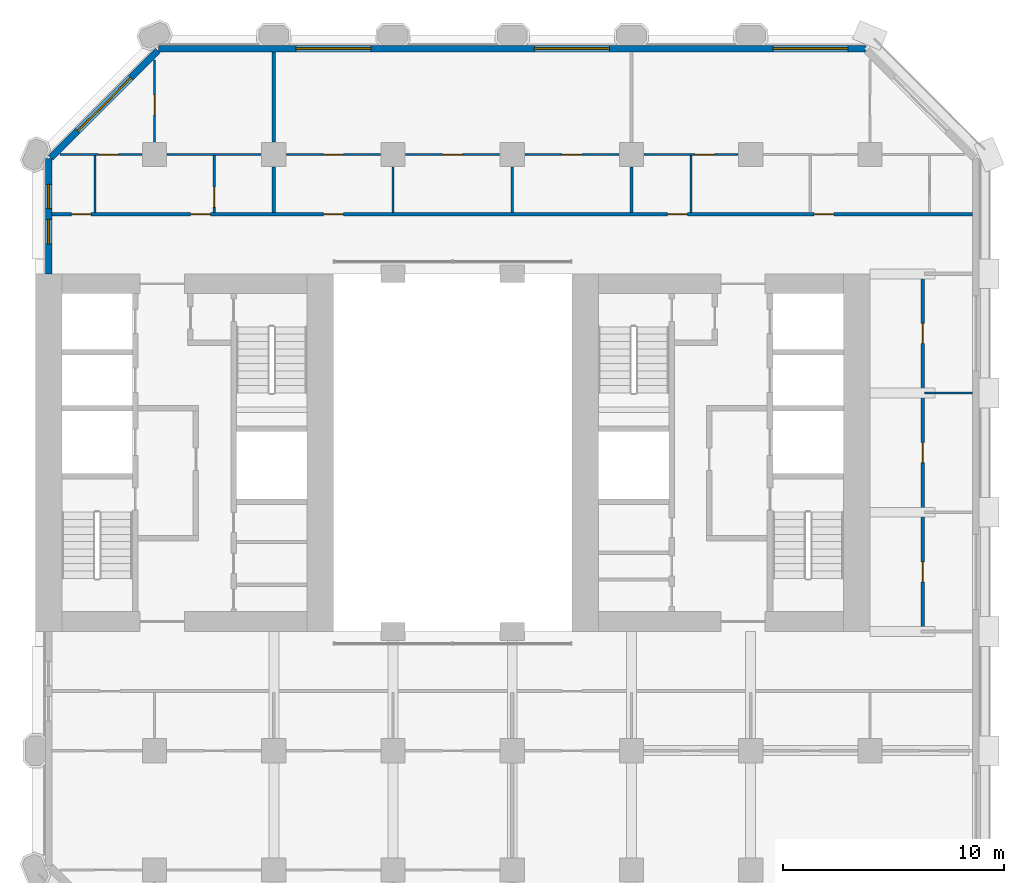
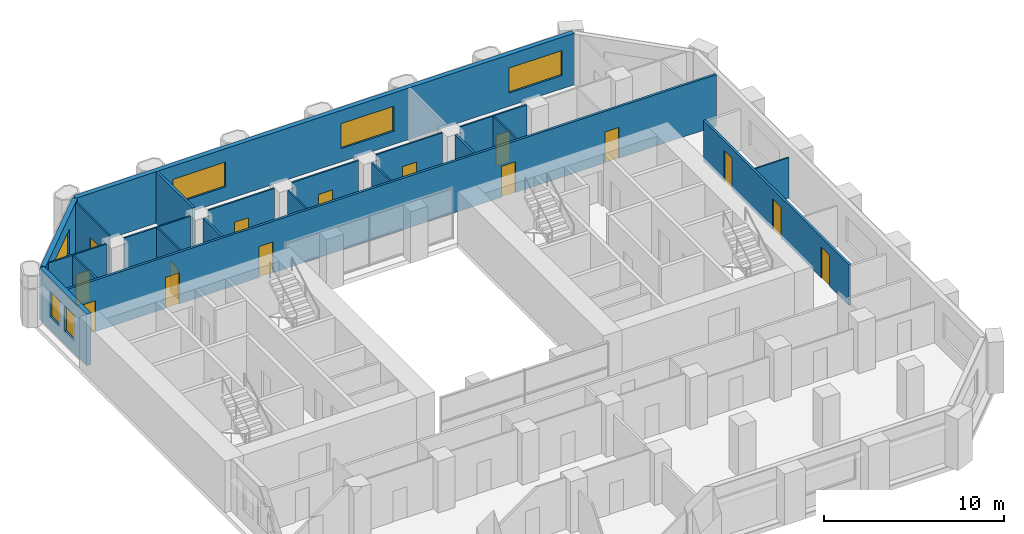
# One storey, part 10 of 13: 21 walls, 15 doors, 6 windows, 21 openings.
"""IFC4 building model written with IfcOpenShell, lengths in metres."""

from ifc_helpers import new_model, si_unit, direction, frame, frame_2d, origin, place, context, subcontext, project, spatial, rectangle, extrude, material, layer, layer_set, type_object, element, fill, save


model = new_model("IFC4")

# Units and contexts
model_context = context("Model", 3, precision=1e-05, world=origin(), true_north=direction((0.0, 1.0)))
body_context = subcontext(model_context, "Body", "Model", "MODEL_VIEW")
ifc_project = project(units=[si_unit("LENGTHUNIT", "METRE"), si_unit("AREAUNIT", "SQUARE_METRE"), si_unit("VOLUMEUNIT", "CUBIC_METRE"), si_unit("PLANEANGLEUNIT", "RADIAN"), si_unit("MASSUNIT", "GRAM", prefix="KILO")], contexts=[model_context])

# Site, building, storey
site_placement = place(None, origin())
site = spatial("IfcSite", under=ifc_project, at=site_placement, CompositionType="ELEMENT")
building_placement = place(site_placement, origin())
building = spatial("IfcBuilding", under=site, at=building_placement, Name="Tabaq Tower and Sports Hall", CompositionType="ELEMENT")
storey_placement = place(building_placement, frame((0.0, 0.0, 48.800048828125)))
storey = spatial("IfcBuildingStorey", under=building, at=storey_placement, Name="L10", CompositionType="ELEMENT", Elevation=48.800048828125)

# Wall
ifc_material_1 = material(Name="Gypsum board on steel studs", Category="steel")
ifc_layer_1 = layer(ifc_material_1, 0.10009765625)
ifc_layer_set_1 = layer_set([ifc_layer_1], Name="Partition 100 Gypsum board")
wall_type_1 = type_object("IfcWallType", Name="Partition 100 Gypsum board", PredefinedType="PARTITIONING", material=ifc_layer_set_1)
wall_1_placement = place(storey_placement, frame((8.10009765625, 35.175048828125, 0.0), z_axis=(0.0, 0.0, 1.0), x_axis=(0.0, 1.0, 0.0)))
element("IfcWall", 1, at=wall_1_placement, inside=storey, type_object=wall_type_1, Name="Partition wall L10", PredefinedType="PARTITIONING", context=body_context, shape_type="SweptSolid", body=[
    extrude(rectangle(XDim=2.574951171875, YDim=0.10009765625, at=frame_2d((1.28759765625, 0.0))), origin(), (0.0, 0.0, 1.0), 3.5),
])

# Wall, opening, door
wall_2_placement = place(storey_placement, frame((13.5, 35.175048828125, 0.0), z_axis=(0.0, 0.0, 1.0), x_axis=(0.0, 1.0, 0.0)))
wall_2 = element("IfcWall", 2, at=wall_2_placement, inside=storey, type_object=wall_type_1, Name="Partition wall L10", PredefinedType="PARTITIONING", context=body_context, shape_type="SweptSolid", body=[
    extrude(rectangle(XDim=2.574951171875, YDim=0.10009765625, at=frame_2d((1.28759765625, 0.0))), origin(), (0.0, 0.0, 1.0), 3.5),
])
opening_1_placement = place(wall_2_placement, frame((0.25, 0.0, 0.0)))
opening_1 = element("IfcOpeningElement", 3, at=opening_1_placement, cuts=wall_2, Name="Opening L10-006", PredefinedType="OPENING", context=body_context, shape_type="SweptSolid", body=[
    extrude(rectangle(XDim=0.89990234375, YDim=2.10009765625, at=frame_2d((0.449951171875, 1.050048828125))), frame((0.0, 0.050048828125, 0.0), z_axis=(0.0, -1.0, 0.0), x_axis=(1.0, 0.0, 0.0)), (0.0, 0.0, 1.0), 0.10009765625),
])
ifc_material_2 = material(Name="Timber leaf in steel frame", Category="steel")
door_type_1 = type_object("IfcDoorType", Name="Internal door 900 right hand", OperationType="SINGLE_SWING_RIGHT", PredefinedType="DOOR", material=ifc_material_2)
door_1_placement = place(opening_1_placement, origin())
door_1 = element("IfcDoor", 4, at=door_1_placement, inside=storey, type_object=door_type_1, Name="Internal door L10-006", OperationType="SINGLE_SWING_RIGHT", OverallHeight=2.10009765625, OverallWidth=0.89990234375, PredefinedType="DOOR", context=body_context, shape_type="SweptSolid", body=[
    extrude(rectangle(XDim=0.89990234375, YDim=2.10009765625, at=frame_2d((0.449951171875, 1.050048828125))), frame((0.0, 0.02490234375, 0.0), z_axis=(0.0, -1.0, 0.0), x_axis=(1.0, 0.0, 0.0)), (0.0, 0.0, 1.0), 0.050048828125),
])
fill(opening_1, door_1)

wall_3_placement = place(storey_placement, frame((10.22998046875, 37.800048828125, 0.0), z_axis=(0.0, 0.0, 1.0), x_axis=(-1.0, 0.0, 0.0)))
wall_3 = element("IfcWall", 5, at=wall_3_placement, inside=storey, type_object=wall_type_1, Name="Partition wall L10", PredefinedType="PARTITIONING", context=body_context, shape_type="SweptSolid", body=[
    extrude(rectangle(XDim=3.7177734375, YDim=0.10009765625, at=frame_2d((1.85888671875, 0.0))), origin(), (0.0, 0.0, 1.0), 3.5),
])
opening_2_placement = place(wall_3_placement, frame((1.06005859375, 0.0, 0.0)))
opening_2 = element("IfcOpeningElement", 6, at=opening_2_placement, cuts=wall_3, Name="Opening L10-025", PredefinedType="OPENING", context=body_context, shape_type="SweptSolid", body=[
    extrude(rectangle(XDim=0.89990234375, YDim=2.10009765625, at=frame_2d((0.449951171875, 1.050048828125))), frame((0.0, 0.050048828125, 0.0), z_axis=(0.0, -1.0, 0.0), x_axis=(1.0, 0.0, 0.0)), (0.0, 0.0, 1.0), 0.10009765625),
])
ifc_material_3 = material(Name="Timber leaf in steel frame", Category="steel")
door_type_2 = type_object("IfcDoorType", Name="Internal door 900 left hand", OperationType="SINGLE_SWING_LEFT", PredefinedType="DOOR", material=ifc_material_3)
door_2_placement = place(opening_2_placement, origin())
door_2 = element("IfcDoor", 7, at=door_2_placement, inside=storey, type_object=door_type_2, Name="Internal door L10-025", OperationType="SINGLE_SWING_LEFT", OverallHeight=2.10009765625, OverallWidth=0.89990234375, PredefinedType="DOOR", context=body_context, shape_type="SweptSolid", body=[
    extrude(rectangle(XDim=0.89990234375, YDim=2.10009765625, at=frame_2d((0.449951171875, 1.050048828125))), frame((0.0, 0.02490234375, 0.0), z_axis=(0.0, -1.0, 0.0), x_axis=(1.0, 0.0, 0.0)), (0.0, 0.0, 1.0), 0.050048828125),
])
fill(opening_2, door_2)

# Wall
wall_4_placement = place(storey_placement, frame((15.6298828125, 37.800048828125, 0.0), z_axis=(0.0, 0.0, 1.0), x_axis=(-1.0, 0.0, 0.0)))
element("IfcWall", 8, at=wall_4_placement, inside=storey, type_object=wall_type_1, Name="Partition wall L10", PredefinedType="PARTITIONING", context=body_context, shape_type="SweptSolid", body=[
    extrude(rectangle(XDim=4.259765625, YDim=0.10009765625, at=frame_2d((2.1298828125, 0.0))), origin(), (0.0, 0.0, 1.0), 3.5),
])

# Wall, opening, door
wall_5_placement = place(storey_placement, frame((10.800048828125, 38.3701171875, 0.0), z_axis=(0.0, 0.0, 1.0), x_axis=(0.0, 1.0, 0.0)))
wall_5 = element("IfcWall", 9, at=wall_5_placement, inside=storey, type_object=wall_type_1, Name="Partition wall L10", PredefinedType="PARTITIONING", context=body_context, shape_type="SweptSolid", body=[
    extrude(rectangle(XDim=3.7177734375, YDim=0.10009765625, at=frame_2d((1.85888671875, 0.0))), origin(), (0.0, 0.0, 1.0), 3.5),
])
opening_3_placement = place(wall_5_placement, frame((1.22998046875, 0.0, 0.0)))
opening_3 = element("IfcOpeningElement", 10, at=opening_3_placement, cuts=wall_5, Name="Opening L10-007", PredefinedType="OPENING", context=body_context, shape_type="SweptSolid", body=[
    extrude(rectangle(XDim=0.89990234375, YDim=2.10009765625, at=frame_2d((0.449951171875, 1.050048828125))), frame((0.0, 0.050048828125, 0.0), z_axis=(0.0, -1.0, 0.0), x_axis=(1.0, 0.0, 0.0)), (0.0, 0.0, 1.0), 0.10009765625),
])
door_3_placement = place(opening_3_placement, origin())
door_3 = element("IfcDoor", 11, at=door_3_placement, inside=storey, type_object=door_type_1, Name="Internal door L10-007", OperationType="SINGLE_SWING_RIGHT", OverallHeight=2.10009765625, OverallWidth=0.89990234375, PredefinedType="DOOR", context=body_context, shape_type="SweptSolid", body=[
    extrude(rectangle(XDim=0.89990234375, YDim=2.10009765625, at=frame_2d((0.449951171875, 1.050048828125))), frame((0.0, 0.02490234375, 0.0), z_axis=(0.0, -1.0, 0.0), x_axis=(1.0, 0.0, 0.0)), (0.0, 0.0, 1.0), 0.050048828125),
])
fill(opening_3, door_3)

# Wall
wall_6_placement = place(storey_placement, frame((21.60009765625, 35.175048828125, 0.0), z_axis=(0.0, 0.0, 1.0), x_axis=(0.0, 1.0, 0.0)))
element("IfcWall", 12, at=wall_6_placement, inside=storey, type_object=wall_type_1, Name="Partition wall L10", PredefinedType="PARTITIONING", context=body_context, shape_type="SweptSolid", body=[
    extrude(rectangle(XDim=2.054931640625, YDim=0.10009765625, at=frame_2d((1.02734375, 0.0))), origin(), (0.0, 0.0, 1.0), 3.5),
])

# Wall, opening, door
wall_7_placement = place(storey_placement, frame((21.030029296875, 37.800048828125, 0.0), z_axis=(0.0, 0.0, 1.0), x_axis=(-1.0, 0.0, 0.0)))
wall_7 = element("IfcWall", 13, at=wall_7_placement, inside=storey, type_object=wall_type_1, Name="Partition wall L10", PredefinedType="PARTITIONING", context=body_context, shape_type="SweptSolid", body=[
    extrude(rectangle(XDim=4.260009765625, YDim=0.10009765625, at=frame_2d((2.1298828125, 0.0))), origin(), (0.0, 0.0, 1.0), 3.5),
])
opening_4_placement = place(wall_7_placement, frame((1.679931640625, 0.0, 0.0)))
opening_4 = element("IfcOpeningElement", 14, at=opening_4_placement, cuts=wall_7, Name="Opening L10-026", PredefinedType="OPENING", context=body_context, shape_type="SweptSolid", body=[
    extrude(rectangle(XDim=0.89990234375, YDim=2.10009765625, at=frame_2d((0.449951171875, 1.050048828125))), frame((0.0, 0.050048828125, 0.0), z_axis=(0.0, -1.0, 0.0), x_axis=(1.0, 0.0, 0.0)), (0.0, 0.0, 1.0), 0.10009765625),
])
door_4_placement = place(opening_4_placement, origin())
door_4 = element("IfcDoor", 15, at=door_4_placement, inside=storey, type_object=door_type_2, Name="Internal door L10-026", OperationType="SINGLE_SWING_LEFT", OverallHeight=2.10009765625, OverallWidth=0.89990234375, PredefinedType="DOOR", context=body_context, shape_type="SweptSolid", body=[
    extrude(rectangle(XDim=0.89990234375, YDim=2.10009765625, at=frame_2d((0.449951171875, 1.050048828125))), frame((0.0, 0.02490234375, 0.0), z_axis=(0.0, -1.0, 0.0), x_axis=(1.0, 0.0, 0.0)), (0.0, 0.0, 1.0), 0.050048828125),
])
fill(opening_4, door_4)

# Wall
wall_8_placement = place(storey_placement, frame((27.0, 35.175048828125, 0.0), z_axis=(0.0, 0.0, 1.0), x_axis=(0.0, 1.0, 0.0)))
element("IfcWall", 16, at=wall_8_placement, inside=storey, type_object=wall_type_1, Name="Partition wall L10", PredefinedType="PARTITIONING", context=body_context, shape_type="SweptSolid", body=[
    extrude(rectangle(XDim=2.054931640625, YDim=0.10009765625, at=frame_2d((1.02734375, 0.0))), origin(), (0.0, 0.0, 1.0), 3.5),
])

# Wall, opening, door
wall_9_placement = place(storey_placement, frame((26.429931640625, 37.800048828125, 0.0), z_axis=(0.0, 0.0, 1.0), x_axis=(-1.0, 0.0, 0.0)))
wall_9 = element("IfcWall", 17, at=wall_9_placement, inside=storey, type_object=wall_type_1, Name="Partition wall L10", PredefinedType="PARTITIONING", context=body_context, shape_type="SweptSolid", body=[
    extrude(rectangle(XDim=4.260009765625, YDim=0.10009765625, at=frame_2d((2.1298828125, 0.0))), origin(), (0.0, 0.0, 1.0), 3.5),
])
opening_5_placement = place(wall_9_placement, frame((1.679931640625, 0.0, 0.0)))
opening_5 = element("IfcOpeningElement", 18, at=opening_5_placement, cuts=wall_9, Name="Opening L10-008", PredefinedType="OPENING", context=body_context, shape_type="SweptSolid", body=[
    extrude(rectangle(XDim=0.89990234375, YDim=2.10009765625, at=frame_2d((0.449951171875, 1.050048828125))), frame((0.0, 0.050048828125, 0.0), z_axis=(0.0, -1.0, 0.0), x_axis=(1.0, 0.0, 0.0)), (0.0, 0.0, 1.0), 0.10009765625),
])
door_5_placement = place(opening_5_placement, origin())
door_5 = element("IfcDoor", 19, at=door_5_placement, inside=storey, type_object=door_type_1, Name="Internal door L10-008", OperationType="SINGLE_SWING_RIGHT", OverallHeight=2.10009765625, OverallWidth=0.89990234375, PredefinedType="DOOR", context=body_context, shape_type="SweptSolid", body=[
    extrude(rectangle(XDim=0.89990234375, YDim=2.10009765625, at=frame_2d((0.449951171875, 1.050048828125))), frame((0.0, 0.02490234375, 0.0), z_axis=(0.0, -1.0, 0.0), x_axis=(1.0, 0.0, 0.0)), (0.0, 0.0, 1.0), 0.050048828125),
])
fill(opening_5, door_5)

wall_10_placement = place(storey_placement, frame((31.830078125, 37.800048828125, 0.0), z_axis=(0.0, 0.0, 1.0), x_axis=(-1.0, 0.0, 0.0)))
wall_10 = element("IfcWall", 20, at=wall_10_placement, inside=storey, type_object=wall_type_1, Name="Partition wall L10", PredefinedType="PARTITIONING", context=body_context, shape_type="SweptSolid", body=[
    extrude(rectangle(XDim=4.260009765625, YDim=0.10009765625, at=frame_2d((2.1298828125, 0.0))), origin(), (0.0, 0.0, 1.0), 3.5),
])
opening_6_placement = place(wall_10_placement, frame((1.679931640625, 0.0, 0.0)))
opening_6 = element("IfcOpeningElement", 21, at=opening_6_placement, cuts=wall_10, Name="Opening L10-009", PredefinedType="OPENING", context=body_context, shape_type="SweptSolid", body=[
    extrude(rectangle(XDim=0.89990234375, YDim=2.10009765625, at=frame_2d((0.449951171875, 1.050048828125))), frame((0.0, 0.050048828125, 0.0), z_axis=(0.0, -1.0, 0.0), x_axis=(1.0, 0.0, 0.0)), (0.0, 0.0, 1.0), 0.10009765625),
])
door_6_placement = place(opening_6_placement, origin())
door_6 = element("IfcDoor", 22, at=door_6_placement, inside=storey, type_object=door_type_1, Name="Internal door L10-009", OperationType="SINGLE_SWING_RIGHT", OverallHeight=2.10009765625, OverallWidth=0.89990234375, PredefinedType="DOOR", context=body_context, shape_type="SweptSolid", body=[
    extrude(rectangle(XDim=0.89990234375, YDim=2.10009765625, at=frame_2d((0.449951171875, 1.050048828125))), frame((0.0, 0.02490234375, 0.0), z_axis=(0.0, -1.0, 0.0), x_axis=(1.0, 0.0, 0.0)), (0.0, 0.0, 1.0), 0.050048828125),
])
fill(opening_6, door_6)

# Wall
wall_11_placement = place(storey_placement, frame((35.10009765625, 35.175048828125, 0.0), z_axis=(0.0, 0.0, 1.0), x_axis=(0.0, 1.0, 0.0)))
element("IfcWall", 23, at=wall_11_placement, inside=storey, type_object=wall_type_1, Name="Partition wall L10", PredefinedType="PARTITIONING", context=body_context, shape_type="SweptSolid", body=[
    extrude(rectangle(XDim=2.574951171875, YDim=0.10009765625, at=frame_2d((1.28759765625, 0.0))), origin(), (0.0, 0.0, 1.0), 3.5),
])

# Wall, opening, door
wall_12_placement = place(storey_placement, frame((37.22998046875, 37.800048828125, 0.0), z_axis=(0.0, 0.0, 1.0), x_axis=(-1.0, 0.0, 0.0)))
wall_12 = element("IfcWall", 24, at=wall_12_placement, inside=storey, type_object=wall_type_1, Name="Partition wall L10", PredefinedType="PARTITIONING", context=body_context, shape_type="SweptSolid", body=[
    extrude(rectangle(XDim=4.260009765625, YDim=0.10009765625, at=frame_2d((2.1298828125, 0.0))), origin(), (0.0, 0.0, 1.0), 3.5),
])
opening_7_placement = place(wall_12_placement, frame((1.06005859375, 0.0, 0.0)))
opening_7 = element("IfcOpeningElement", 25, at=opening_7_placement, cuts=wall_12, Name="Opening L10-010", PredefinedType="OPENING", context=body_context, shape_type="SweptSolid", body=[
    extrude(rectangle(XDim=0.89990234375, YDim=2.10009765625, at=frame_2d((0.449951171875, 1.050048828125))), frame((0.0, 0.050048828125, 0.0), z_axis=(0.0, -1.0, 0.0), x_axis=(1.0, 0.0, 0.0)), (0.0, 0.0, 1.0), 0.10009765625),
])
door_7_placement = place(opening_7_placement, origin())
door_7 = element("IfcDoor", 26, at=door_7_placement, inside=storey, type_object=door_type_2, Name="Internal door L10-010", OperationType="SINGLE_SWING_LEFT", OverallHeight=2.10009765625, OverallWidth=0.89990234375, PredefinedType="DOOR", context=body_context, shape_type="SweptSolid", body=[
    extrude(rectangle(XDim=0.89990234375, YDim=2.10009765625, at=frame_2d((0.449951171875, 1.050048828125))), frame((0.0, 0.02490234375, 0.0), z_axis=(0.0, -1.0, 0.0), x_axis=(1.0, 0.0, 0.0)), (0.0, 0.0, 1.0), 0.050048828125),
])
fill(opening_7, door_7)

# Wall
wall_13_placement = place(storey_placement, frame((47.84912109375, 27.0, 0.0), z_axis=(0.0, 0.0, 1.0), x_axis=(-1.0, 0.0, 0.0)))
element("IfcWall", 27, at=wall_13_placement, inside=storey, type_object=wall_type_1, Name="Partition wall L10", PredefinedType="PARTITIONING", context=body_context, shape_type="SweptSolid", body=[
    extrude(rectangle(XDim=2.174072265625, YDim=0.10009765625, at=frame_2d((1.0869140625, 0.0))), origin(), (0.0, 0.0, 1.0), 2.75),
])

# Wall, openings, doors
ifc_material_4 = material(Name="Blockwork", Category="masonry")
ifc_layer_2 = layer(ifc_material_4, 0.14990234375)
ifc_layer_set_2 = layer_set([ifc_layer_2], Name="Separating wall 150 Blockwork")
wall_type_2 = type_object("IfcWallType", Name="Separating wall 150 Blockwork", PredefinedType="PARTITIONING", material=ifc_layer_set_2)
wall_14_placement = place(storey_placement, frame((45.60009765625, 16.27490234375, 0.0), z_axis=(0.0, 0.0, 1.0), x_axis=(0.0, 1.0, 0.0)))
wall_14 = element("IfcWall", 28, at=wall_14_placement, inside=storey, type_object=wall_type_2, Name="Separating wall L10", PredefinedType="PARTITIONING", context=body_context, shape_type="SweptSolid", body=[
    extrude(rectangle(XDim=16.2001953125, YDim=0.14990234375, at=frame_2d((8.10009765625, 0.0))), origin(), (0.0, 0.0, 1.0), 2.75),
])
opening_8_placement = place(wall_14_placement, frame((2.175048828125, 0.0, 0.0)))
opening_8 = element("IfcOpeningElement", 29, at=opening_8_placement, cuts=wall_14, Name="Opening L10-003", PredefinedType="OPENING", context=body_context, shape_type="SweptSolid", body=[
    extrude(rectangle(XDim=0.89990234375, YDim=2.10009765625, at=frame_2d((0.449951171875, 1.050048828125))), frame((0.0, 0.074951171875, 0.0), z_axis=(0.0, -1.0, 0.0), x_axis=(1.0, 0.0, 0.0)), (0.0, 0.0, 1.0), 0.14990234375),
])
opening_9_placement = place(wall_14_placement, frame((7.574951171875, 0.0, 0.0)))
opening_9 = element("IfcOpeningElement", 30, at=opening_9_placement, cuts=wall_14, Name="Opening L10-004", PredefinedType="OPENING", context=body_context, shape_type="SweptSolid", body=[
    extrude(rectangle(XDim=0.89990234375, YDim=2.10009765625, at=frame_2d((0.449951171875, 1.050048828125))), frame((0.0, 0.074951171875, 0.0), z_axis=(0.0, -1.0, 0.0), x_axis=(1.0, 0.0, 0.0)), (0.0, 0.0, 1.0), 0.14990234375),
])
opening_10_placement = place(wall_14_placement, frame((12.97509765625, 0.0, 0.0)))
opening_10 = element("IfcOpeningElement", 31, at=opening_10_placement, cuts=wall_14, Name="Opening L10-005", PredefinedType="OPENING", context=body_context, shape_type="SweptSolid", body=[
    extrude(rectangle(XDim=0.89990234375, YDim=2.10009765625, at=frame_2d((0.449951171875, 1.050048828125))), frame((0.0, 0.074951171875, 0.0), z_axis=(0.0, -1.0, 0.0), x_axis=(1.0, 0.0, 0.0)), (0.0, 0.0, 1.0), 0.14990234375),
])
door_8_placement = place(opening_8_placement, origin())
door_8 = element("IfcDoor", 32, at=door_8_placement, inside=storey, type_object=door_type_2, Name="Internal door L10-003", OperationType="SINGLE_SWING_LEFT", OverallHeight=2.10009765625, OverallWidth=0.89990234375, PredefinedType="DOOR", context=body_context, shape_type="SweptSolid", body=[
    extrude(rectangle(XDim=0.89990234375, YDim=2.10009765625, at=frame_2d((0.449951171875, 1.050048828125))), frame((0.0, 0.02490234375, 0.0), z_axis=(0.0, -1.0, 0.0), x_axis=(1.0, 0.0, 0.0)), (0.0, 0.0, 1.0), 0.050048828125),
])
fill(opening_8, door_8)
door_9_placement = place(opening_9_placement, origin())
door_9 = element("IfcDoor", 33, at=door_9_placement, inside=storey, type_object=door_type_2, Name="Internal door L10-004", OperationType="SINGLE_SWING_LEFT", OverallHeight=2.10009765625, OverallWidth=0.89990234375, PredefinedType="DOOR", context=body_context, shape_type="SweptSolid", body=[
    extrude(rectangle(XDim=0.89990234375, YDim=2.10009765625, at=frame_2d((0.449951171875, 1.050048828125))), frame((0.0, 0.02490234375, 0.0), z_axis=(0.0, -1.0, 0.0), x_axis=(1.0, 0.0, 0.0)), (0.0, 0.0, 1.0), 0.050048828125),
])
fill(opening_9, door_9)
door_10_placement = place(opening_10_placement, origin())
door_10 = element("IfcDoor", 34, at=door_10_placement, inside=storey, type_object=door_type_2, Name="Internal door L10-005", OperationType="SINGLE_SWING_LEFT", OverallHeight=2.10009765625, OverallWidth=0.89990234375, PredefinedType="DOOR", context=body_context, shape_type="SweptSolid", body=[
    extrude(rectangle(XDim=0.89990234375, YDim=2.10009765625, at=frame_2d((0.449951171875, 1.050048828125))), frame((0.0, 0.02490234375, 0.0), z_axis=(0.0, -1.0, 0.0), x_axis=(1.0, 0.0, 0.0)), (0.0, 0.0, 1.0), 0.050048828125),
])
fill(opening_10, door_10)

wall_15_placement = place(storey_placement, frame((47.84912109375, 35.10009765625, 0.0), z_axis=(0.0, 0.0, 1.0), x_axis=(-1.0, 0.0, 0.0)))
wall_15 = element("IfcWall", 35, at=wall_15_placement, inside=storey, type_object=wall_type_2, Name="Separating wall L10", PredefinedType="PARTITIONING", context=body_context, shape_type="SweptSolid", body=[
    extrude(rectangle(XDim=41.6982421875, YDim=0.14990234375, at=frame_2d((20.84912109375, 0.0))), origin(), (0.0, 0.0, 1.0), 3.5),
])
opening_11_placement = place(wall_15_placement, frame((39.9189453125, 0.0, 0.0)))
opening_11 = element("IfcOpeningElement", 36, at=opening_11_placement, cuts=wall_15, Name="Opening L10-001", PredefinedType="OPENING", context=body_context, shape_type="SweptSolid", body=[
    extrude(rectangle(XDim=0.89990234375, YDim=2.10009765625, at=frame_2d((0.449951171875, 1.050048828125))), frame((0.0, 0.074951171875, 0.0), z_axis=(0.0, -1.0, 0.0), x_axis=(1.0, 0.0, 0.0)), (0.0, 0.0, 1.0), 0.14990234375),
])
opening_12_placement = place(wall_15_placement, frame((12.9189453125, 0.0, 0.0)))
opening_12 = element("IfcOpeningElement", 37, at=opening_12_placement, cuts=wall_15, Name="Opening L10-002", PredefinedType="OPENING", context=body_context, shape_type="SweptSolid", body=[
    extrude(rectangle(XDim=0.89990234375, YDim=2.10009765625, at=frame_2d((0.449951171875, 1.050048828125))), frame((0.0, 0.074951171875, 0.0), z_axis=(0.0, -1.0, 0.0), x_axis=(1.0, 0.0, 0.0)), (0.0, 0.0, 1.0), 0.14990234375),
])
opening_13_placement = place(wall_15_placement, frame((28.4990234375, 0.0, 0.0)))
opening_13 = element("IfcOpeningElement", 38, at=opening_13_placement, cuts=wall_15, Name="Opening L10-022", PredefinedType="OPENING", context=body_context, shape_type="SweptSolid", body=[
    extrude(rectangle(XDim=0.89990234375, YDim=2.10009765625, at=frame_2d((0.449951171875, 1.050048828125))), frame((0.0, 0.074951171875, 0.0), z_axis=(0.0, -1.0, 0.0), x_axis=(1.0, 0.0, 0.0)), (0.0, 0.0, 1.0), 0.14990234375),
])
opening_14_placement = place(wall_15_placement, frame((34.51904296875, 0.0, 0.0)))
opening_14 = element("IfcOpeningElement", 39, at=opening_14_placement, cuts=wall_15, Name="Opening L10-029", PredefinedType="OPENING", context=body_context, shape_type="SweptSolid", body=[
    extrude(rectangle(XDim=0.89990234375, YDim=2.10009765625, at=frame_2d((0.449951171875, 1.050048828125))), frame((0.0, 0.074951171875, 0.0), z_axis=(0.0, -1.0, 0.0), x_axis=(1.0, 0.0, 0.0)), (0.0, 0.0, 1.0), 0.14990234375),
])
opening_15_placement = place(wall_15_placement, frame((6.279052734375, 0.0, 0.0)))
opening_15 = element("IfcOpeningElement", 40, at=opening_15_placement, cuts=wall_15, Name="Opening L10-030", PredefinedType="OPENING", context=body_context, shape_type="SweptSolid", body=[
    extrude(rectangle(XDim=0.89990234375, YDim=2.10009765625, at=frame_2d((0.449951171875, 1.050048828125))), frame((0.0, 0.074951171875, 0.0), z_axis=(0.0, -1.0, 0.0), x_axis=(1.0, 0.0, 0.0)), (0.0, 0.0, 1.0), 0.14990234375),
])
ifc_material_5 = material(Name="Steel fire door", Category="steel")
door_type_3 = type_object("IfcDoorType", Name="Entrance door 900 left hand", OperationType="SINGLE_SWING_LEFT", PredefinedType="DOOR", material=ifc_material_5)
door_11_placement = place(opening_11_placement, origin())
door_11 = element("IfcDoor", 41, at=door_11_placement, inside=storey, type_object=door_type_3, Name="Entrance door L10-001", OperationType="SINGLE_SWING_LEFT", OverallHeight=2.10009765625, OverallWidth=0.89990234375, PredefinedType="DOOR", context=body_context, shape_type="SweptSolid", body=[
    extrude(rectangle(XDim=0.89990234375, YDim=2.10009765625, at=frame_2d((0.449951171875, 1.050048828125))), frame((0.0, 0.02490234375, 0.0), z_axis=(0.0, -1.0, 0.0), x_axis=(1.0, 0.0, 0.0)), (0.0, 0.0, 1.0), 0.050048828125),
])
fill(opening_11, door_11)
door_12_placement = place(opening_12_placement, origin())
door_12 = element("IfcDoor", 42, at=door_12_placement, inside=storey, type_object=door_type_3, Name="Entrance door L10-002", OperationType="SINGLE_SWING_LEFT", OverallHeight=2.10009765625, OverallWidth=0.89990234375, PredefinedType="DOOR", context=body_context, shape_type="SweptSolid", body=[
    extrude(rectangle(XDim=0.89990234375, YDim=2.10009765625, at=frame_2d((0.449951171875, 1.050048828125))), frame((0.0, 0.02490234375, 0.0), z_axis=(0.0, -1.0, 0.0), x_axis=(1.0, 0.0, 0.0)), (0.0, 0.0, 1.0), 0.050048828125),
])
fill(opening_12, door_12)
door_13_placement = place(opening_13_placement, origin())
door_13 = element("IfcDoor", 43, at=door_13_placement, inside=storey, type_object=door_type_3, Name="Entrance door L10-022", OperationType="SINGLE_SWING_LEFT", OverallHeight=2.10009765625, OverallWidth=0.89990234375, PredefinedType="DOOR", context=body_context, shape_type="SweptSolid", body=[
    extrude(rectangle(XDim=0.89990234375, YDim=2.10009765625, at=frame_2d((0.449951171875, 1.050048828125))), frame((0.0, 0.02490234375, 0.0), z_axis=(0.0, -1.0, 0.0), x_axis=(1.0, 0.0, 0.0)), (0.0, 0.0, 1.0), 0.050048828125),
])
fill(opening_13, door_13)
door_14_placement = place(opening_14_placement, origin())
door_14 = element("IfcDoor", 44, at=door_14_placement, inside=storey, type_object=door_type_3, Name="Entrance door L10-029", OperationType="SINGLE_SWING_LEFT", OverallHeight=2.10009765625, OverallWidth=0.89990234375, PredefinedType="DOOR", context=body_context, shape_type="SweptSolid", body=[
    extrude(rectangle(XDim=0.89990234375, YDim=2.10009765625, at=frame_2d((0.449951171875, 1.050048828125))), frame((0.0, 0.02490234375, 0.0), z_axis=(0.0, -1.0, 0.0), x_axis=(1.0, 0.0, 0.0)), (0.0, 0.0, 1.0), 0.050048828125),
])
fill(opening_14, door_14)
door_15_placement = place(opening_15_placement, origin())
door_15 = element("IfcDoor", 45, at=door_15_placement, inside=storey, type_object=door_type_3, Name="Entrance door L10-030", OperationType="SINGLE_SWING_LEFT", OverallHeight=2.10009765625, OverallWidth=0.89990234375, PredefinedType="DOOR", context=body_context, shape_type="SweptSolid", body=[
    extrude(rectangle(XDim=0.89990234375, YDim=2.10009765625, at=frame_2d((0.449951171875, 1.050048828125))), frame((0.0, 0.02490234375, 0.0), z_axis=(0.0, -1.0, 0.0), x_axis=(1.0, 0.0, 0.0)), (0.0, 0.0, 1.0), 0.050048828125),
])
fill(opening_15, door_15)

# Walls
wall_16_placement = place(storey_placement, frame((16.199951171875, 35.175048828125, 0.0), z_axis=(0.0, 0.0, 1.0), x_axis=(0.0, 1.0, 0.0)))
element("IfcWall", 46, at=wall_16_placement, inside=storey, type_object=wall_type_2, Name="Separating wall L10", PredefinedType="PARTITIONING", context=body_context, shape_type="SweptSolid", body=[
    extrude(rectangle(XDim=2.054931640625, YDim=0.14990234375, at=frame_2d((1.02734375, 0.0))), origin(), (0.0, 0.0, 1.0), 3.5),
])
wall_17_placement = place(storey_placement, frame((16.199951171875, 38.3701171875, 0.0), z_axis=(0.0, 0.0, 1.0), x_axis=(0.0, 1.0, 0.0)))
element("IfcWall", 47, at=wall_17_placement, inside=storey, type_object=wall_type_2, Name="Separating wall L10", PredefinedType="PARTITIONING", context=body_context, shape_type="SweptSolid", body=[
    extrude(rectangle(XDim=4.078857421875, YDim=0.14990234375, at=frame_2d((2.03955078125, 0.0))), origin(), (0.0, 0.0, 1.0), 3.5),
])
wall_18_placement = place(storey_placement, frame((32.39990234375, 35.175048828125, 0.0), z_axis=(0.0, 0.0, 1.0), x_axis=(0.0, 1.0, 0.0)))
element("IfcWall", 48, at=wall_18_placement, inside=storey, type_object=wall_type_2, Name="Separating wall L10", PredefinedType="PARTITIONING", context=body_context, shape_type="SweptSolid", body=[
    extrude(rectangle(XDim=2.054931640625, YDim=0.14990234375, at=frame_2d((1.02734375, 0.0))), origin(), (0.0, 0.0, 1.0), 3.5),
])

# Wall, openings, windows
ifc_material_6 = material(Name="White precast concrete C60/75", Category="concrete")
ifc_layer_3 = layer(ifc_material_6, 0.300048828125)
ifc_layer_set_3 = layer_set([ifc_layer_3], Name="White precast concrete C60/75 external wall 300")
wall_type_3 = type_object("IfcWallType", Name="White precast concrete C60/75 external wall 300", PredefinedType="SOLIDWALL", material=ifc_layer_set_3)
wall_19_placement = place(storey_placement, frame((43.013671875, 42.60009765625, 0.0), z_axis=(0.0, 0.0, 1.0), x_axis=(-1.0, 0.0, 0.0)))
wall_19 = element("IfcWall", 49, at=wall_19_placement, inside=storey, type_object=wall_type_3, Name="External Wall L10 N", PredefinedType="SOLIDWALL", context=body_context, shape_type="SweptSolid", body=[
    extrude(rectangle(XDim=32.02734375, YDim=0.300048828125, at=frame_2d((16.013671875, 0.0))), origin(), (0.0, 0.0, 1.0), 3.5),
])
opening_16_placement = place(wall_19_placement, frame((0.813720703125, 0.0, 0.89990234375)))
opening_16 = element("IfcOpeningElement", 50, at=opening_16_placement, cuts=wall_19, Name="Opening W1A", PredefinedType="OPENING", context=body_context, shape_type="SweptSolid", body=[
    extrude(rectangle(XDim=3.39990234375, YDim=1.699951171875, at=frame_2d((1.699951171875, 0.85009765625))), frame((0.0, 0.16015625, 0.0), z_axis=(0.0, -1.0, 0.0), x_axis=(1.0, 0.0, 0.0)), (0.0, 0.0, 1.0), 0.320068359375),
])
opening_17_placement = place(wall_19_placement, frame((11.613525390625, 0.0, 0.89990234375)))
opening_17 = element("IfcOpeningElement", 51, at=opening_17_placement, cuts=wall_19, Name="Opening W1A", PredefinedType="OPENING", context=body_context, shape_type="SweptSolid", body=[
    extrude(rectangle(XDim=3.39990234375, YDim=1.699951171875, at=frame_2d((1.699951171875, 0.85009765625))), frame((0.0, 0.16015625, 0.0), z_axis=(0.0, -1.0, 0.0), x_axis=(1.0, 0.0, 0.0)), (0.0, 0.0, 1.0), 0.320068359375),
])
opening_18_placement = place(wall_19_placement, frame((22.41357421875, 0.0, 0.89990234375)))
opening_18 = element("IfcOpeningElement", 52, at=opening_18_placement, cuts=wall_19, Name="Opening W1A", PredefinedType="OPENING", context=body_context, shape_type="SweptSolid", body=[
    extrude(rectangle(XDim=3.39990234375, YDim=1.699951171875, at=frame_2d((1.699951171875, 0.85009765625))), frame((0.0, 0.16015625, 0.0), z_axis=(0.0, -1.0, 0.0), x_axis=(1.0, 0.0, 0.0)), (0.0, 0.0, 1.0), 0.320068359375),
])
ifc_material_7 = material(Name="Aluminium framed clear glazing", Category="aluminium")
window_type_1 = type_object("IfcWindowType", Name="Window W1A", PartitioningType="SINGLE_PANEL", PredefinedType="WINDOW", material=ifc_material_7)
window_1_placement = place(opening_16_placement, origin())
window_1 = element("IfcWindow", 53, at=window_1_placement, inside=storey, type_object=window_type_1, Name="Window W1A L10", OverallHeight=1.699951171875, OverallWidth=3.39990234375, PartitioningType="SINGLE_PANEL", PredefinedType="WINDOW", context=body_context, shape_type="SweptSolid", body=[
    extrude(rectangle(XDim=3.39990234375, YDim=1.699951171875, at=frame_2d((1.699951171875, 0.85009765625))), frame((0.0, 0.030029296875, 0.0), z_axis=(0.0, -1.0, 0.0), x_axis=(1.0, 0.0, 0.0)), (0.0, 0.0, 1.0), 0.06005859375),
])
fill(opening_16, window_1)
window_2_placement = place(opening_17_placement, origin())
window_2 = element("IfcWindow", 54, at=window_2_placement, inside=storey, type_object=window_type_1, Name="Window W1A L10", OverallHeight=1.699951171875, OverallWidth=3.39990234375, PartitioningType="SINGLE_PANEL", PredefinedType="WINDOW", context=body_context, shape_type="SweptSolid", body=[
    extrude(rectangle(XDim=3.39990234375, YDim=1.699951171875, at=frame_2d((1.699951171875, 0.85009765625))), frame((0.0, 0.030029296875, 0.0), z_axis=(0.0, -1.0, 0.0), x_axis=(1.0, 0.0, 0.0)), (0.0, 0.0, 1.0), 0.06005859375),
])
fill(opening_17, window_2)
window_3_placement = place(opening_18_placement, origin())
window_3 = element("IfcWindow", 55, at=window_3_placement, inside=storey, type_object=window_type_1, Name="Window W1A L10", OverallHeight=1.699951171875, OverallWidth=3.39990234375, PartitioningType="SINGLE_PANEL", PredefinedType="WINDOW", context=body_context, shape_type="SweptSolid", body=[
    extrude(rectangle(XDim=3.39990234375, YDim=1.699951171875, at=frame_2d((1.699951171875, 0.85009765625))), frame((0.0, 0.030029296875, 0.0), z_axis=(0.0, -1.0, 0.0), x_axis=(1.0, 0.0, 0.0)), (0.0, 0.0, 1.0), 0.06005859375),
])
fill(opening_18, window_3)

# Wall, opening, window
wall_20_placement = place(storey_placement, frame((10.949462890625, 42.5009765625, 0.0), z_axis=(0.0, 0.0, 1.0), x_axis=(-0.707106781187, -0.707106781187, 0.0)))
wall_20 = element("IfcWall", 56, at=wall_20_placement, inside=storey, type_object=wall_type_3, Name="External Wall L10 NW", PredefinedType="SOLIDWALL", context=body_context, shape_type="SweptSolid", body=[
    extrude(rectangle(XDim=6.85986328125, YDim=0.300048828125, at=frame_2d((3.429931640625, 0.0))), origin(), (0.0, 0.0, 1.0), 3.5),
])
opening_19_placement = place(wall_20_placement, frame((1.729736328125, 0.0, 0.89990234375)))
opening_19 = element("IfcOpeningElement", 57, at=opening_19_placement, cuts=wall_20, Name="Opening W1A", PredefinedType="OPENING", context=body_context, shape_type="SweptSolid", body=[
    extrude(rectangle(XDim=3.39990234375, YDim=1.699951171875, at=frame_2d((1.699951171875, 0.85009765625))), frame((0.0, 0.16015625, 0.0), z_axis=(0.0, -1.0, 0.0), x_axis=(1.0, 0.0, 0.0)), (0.0, 0.0, 1.0), 0.320068359375),
])
window_4_placement = place(opening_19_placement, origin())
window_4 = element("IfcWindow", 58, at=window_4_placement, inside=storey, type_object=window_type_1, Name="Window W1A L10", OverallHeight=1.699951171875, OverallWidth=3.39990234375, PartitioningType="SINGLE_PANEL", PredefinedType="WINDOW", context=body_context, shape_type="SweptSolid", body=[
    extrude(rectangle(XDim=3.39990234375, YDim=1.699951171875, at=frame_2d((1.699951171875, 0.85009765625))), frame((0.0, 0.030029296875, 0.0), z_axis=(0.0, -1.0, 0.0), x_axis=(1.0, 0.0, 0.0)), (0.0, 0.0, 1.0), 0.06005859375),
])
fill(opening_19, window_4)

# Wall, openings, windows
wall_21_placement = place(storey_placement, frame((6.0, 37.613525390625, 0.0), z_axis=(0.0, 0.0, 1.0), x_axis=(0.0, -1.0, 0.0)))
wall_21 = element("IfcWall", 59, at=wall_21_placement, inside=storey, type_object=wall_type_3, Name="External Wall L10 W", PredefinedType="SOLIDWALL", context=body_context, shape_type="SweptSolid", body=[
    extrude(rectangle(XDim=5.213623046875, YDim=0.300048828125, at=frame_2d((2.60693359375, 0.0))), origin(), (0.0, 0.0, 1.0), 3.5),
])
opening_20_placement = place(wall_21_placement, frame((1.16357421875, 0.0, 0.89990234375)))
opening_20 = element("IfcOpeningElement", 60, at=opening_20_placement, cuts=wall_21, Name="Opening W1B", PredefinedType="OPENING", context=body_context, shape_type="SweptSolid", body=[
    extrude(rectangle(XDim=1.10009765625, YDim=1.699951171875, at=frame_2d((0.550048828125, 0.85009765625))), frame((0.0, 0.16015625, 0.0), z_axis=(0.0, -1.0, 0.0), x_axis=(1.0, 0.0, 0.0)), (0.0, 0.0, 1.0), 0.320068359375),
])
opening_21_placement = place(wall_21_placement, frame((2.763671875, 0.0, 0.89990234375)))
opening_21 = element("IfcOpeningElement", 61, at=opening_21_placement, cuts=wall_21, Name="Opening W1B", PredefinedType="OPENING", context=body_context, shape_type="SweptSolid", body=[
    extrude(rectangle(XDim=1.10009765625, YDim=1.699951171875, at=frame_2d((0.550048828125, 0.85009765625))), frame((0.0, 0.16015625, 0.0), z_axis=(0.0, -1.0, 0.0), x_axis=(1.0, 0.0, 0.0)), (0.0, 0.0, 1.0), 0.320068359375),
])
ifc_material_8 = material(Name="Aluminium framed clear glazing", Category="aluminium")
window_type_2 = type_object("IfcWindowType", Name="Window W1B", PartitioningType="SINGLE_PANEL", PredefinedType="WINDOW", material=ifc_material_8)
window_5_placement = place(opening_20_placement, origin())
window_5 = element("IfcWindow", 62, at=window_5_placement, inside=storey, type_object=window_type_2, Name="Window W1B L10", OverallHeight=1.699951171875, OverallWidth=1.10009765625, PartitioningType="SINGLE_PANEL", PredefinedType="WINDOW", context=body_context, shape_type="SweptSolid", body=[
    extrude(rectangle(XDim=1.10009765625, YDim=1.699951171875, at=frame_2d((0.550048828125, 0.85009765625))), frame((0.0, 0.030029296875, 0.0), z_axis=(0.0, -1.0, 0.0), x_axis=(1.0, 0.0, 0.0)), (0.0, 0.0, 1.0), 0.06005859375),
])
fill(opening_20, window_5)
window_6_placement = place(opening_21_placement, origin())
window_6 = element("IfcWindow", 63, at=window_6_placement, inside=storey, type_object=window_type_2, Name="Window W1B L10", OverallHeight=1.699951171875, OverallWidth=1.10009765625, PartitioningType="SINGLE_PANEL", PredefinedType="WINDOW", context=body_context, shape_type="SweptSolid", body=[
    extrude(rectangle(XDim=1.10009765625, YDim=1.699951171875, at=frame_2d((0.550048828125, 0.85009765625))), frame((0.0, 0.030029296875, 0.0), z_axis=(0.0, -1.0, 0.0), x_axis=(1.0, 0.0, 0.0)), (0.0, 0.0, 1.0), 0.06005859375),
])
fill(opening_21, window_6)

save(model, "model.ifc")
